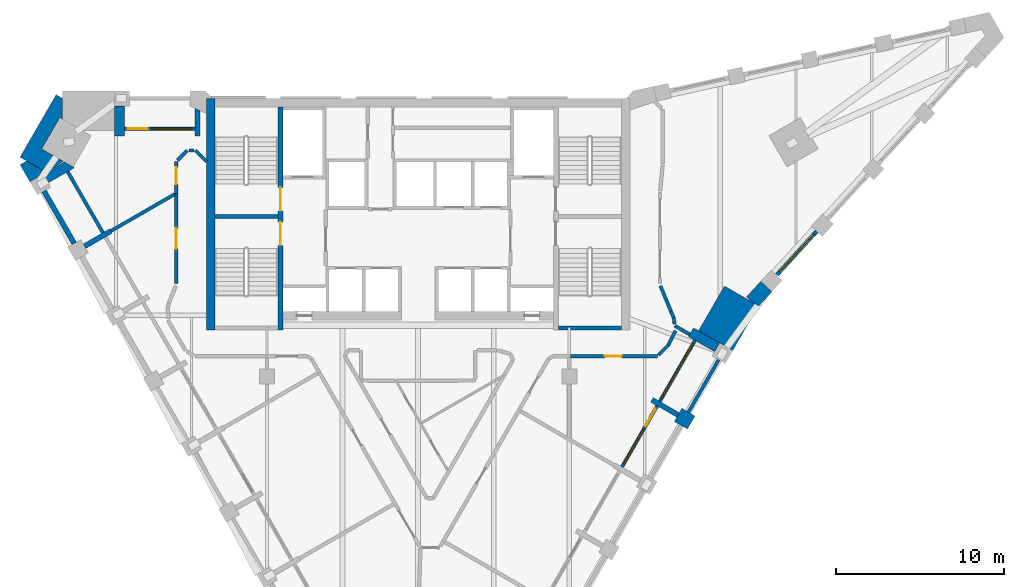
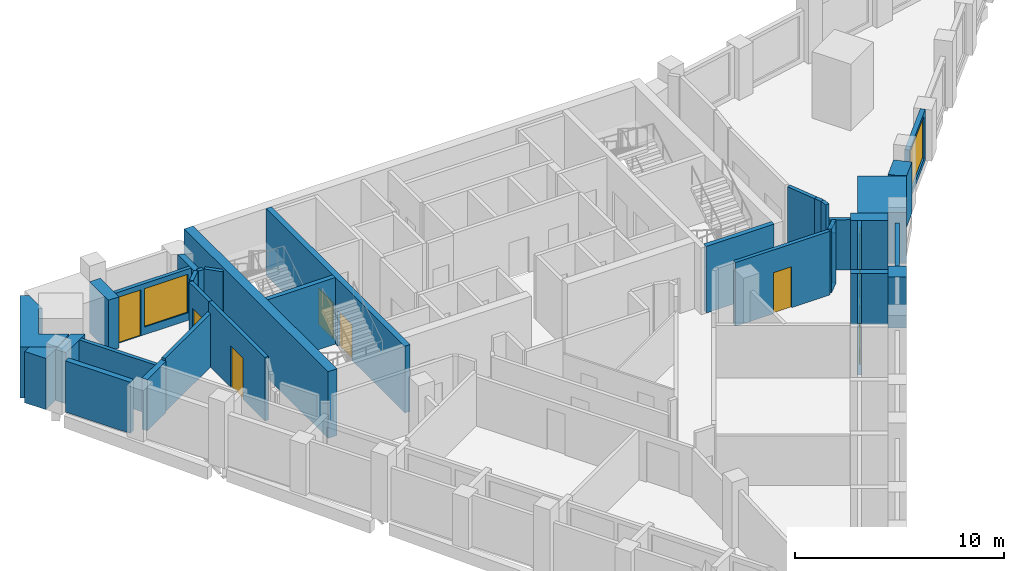
# One storey, part 5 of 9: 35 walls, 7 doors, 4 windows, 11 openings.
"""IFC4 building model written with IfcOpenShell, lengths in metres."""

from ifc_helpers import new_model, si_unit, direction, frame, frame_2d, origin, place, context, subcontext, project, spatial, polyline, rectangle, outline, extrude, material, layer, layer_set, type_object, element, fill, save


model = new_model("IFC4")

# Units and contexts
model_context = context("Model", 3, precision=1e-05, world=origin(), true_north=direction((0.0, 1.0)))
body_context = subcontext(model_context, "Body", "Model", "MODEL_VIEW")
ifc_project = project(units=[si_unit("LENGTHUNIT", "METRE"), si_unit("AREAUNIT", "SQUARE_METRE"), si_unit("VOLUMEUNIT", "CUBIC_METRE"), si_unit("PLANEANGLEUNIT", "RADIAN"), si_unit("MASSUNIT", "GRAM", prefix="KILO")], contexts=[model_context])

# Site, building, storey
site_placement = place(None, origin())
site = spatial("IfcSite", under=ifc_project, at=site_placement, CompositionType="ELEMENT")
building_placement = place(site_placement, origin())
building = spatial("IfcBuilding", under=site, at=building_placement, Name="Calabash Gate Tower", CompositionType="ELEMENT")
storey_placement = place(building_placement, frame((0.0, 0.0, 283.300048828125)))
storey = spatial("IfcBuildingStorey", under=building, at=storey_placement, Name="L68", CompositionType="ELEMENT", Elevation=283.300048828125)

# Walls
ifc_material_1 = material(Name="Terracotta brick masonry, exposed face", Category="masonry")
ifc_layer_1 = layer(ifc_material_1, 2.35009765625)
ifc_layer_set_1 = layer_set([ifc_layer_1], Name="Brick corner mass wall 2350")
wall_type_1 = type_object("IfcWallType", Name="Brick corner mass wall 2350", PredefinedType="SOLIDWALL", material=ifc_layer_set_1)
wall_1_placement = place(storey_placement, origin())
element("IfcWall", 1, at=wall_1_placement, inside=storey, type_object=wall_type_1, Name="Brick corner pier S20 2", PredefinedType="SOLIDWALL", context=body_context, shape_type="SweptSolid", body=[
    extrude(outline(polyline([(18.733642578125, 4.041748046875), (18.73291015625, 4.04052734375), (18.733642578125, 4.0400390625), (20.271240234375, 6.703125), (18.236083984375, 7.878173828125), (16.698486328125, 5.215087890625), (17.95361328125, 4.490478515625), (17.954345703125, 4.49169921875), (18.733642578125, 4.041748046875)])), origin(), (0.0, 0.0, 1.0), 2.973388671875),
])
wall_2_placement = place(storey_placement, origin())
element("IfcWall", 2, at=wall_2_placement, inside=storey, type_object=wall_type_1, Name="Brick corner pier S20 3b", PredefinedType="SOLIDWALL", context=body_context, shape_type="SweptSolid", body=[
    extrude(outline(polyline([(-21.33349609375, 17.908447265625), (-21.168701171875, 17.813232421875), (-21.168701171875, 19.052490234375), (-21.558349609375, 19.277587890625), (-23.70703125, 15.55615234375), (-22.140869140625, 14.65185546875), (-21.134765625, 15.311279296875), (-22.408447265625, 16.046630859375), (-21.33349609375, 17.908447265625)])), origin(), (0.0, 0.0, 1.0), 3.0),
])
wall_3_placement = place(storey_placement, origin())
element("IfcWall", 3, at=wall_3_placement, inside=storey, type_object=wall_type_1, Name="Brick corner pier S20 3c", PredefinedType="SOLIDWALL", context=body_context, shape_type="SweptSolid", body=[
    extrude(outline(polyline([(-23.118408203125, 14.08740234375), (-21.08349609375, 15.26220703125), (-21.100341796875, 15.291259765625), (-21.134765625, 15.311279296875), (-22.140869140625, 14.65185546875), (-23.3173828125, 15.3310546875), (-23.70703125, 15.106201171875), (-23.118408203125, 14.08740234375)])), origin(), (0.0, 0.0, 1.0), 3.0),
])
ifc_material_2 = material(Name="Terracotta brick masonry, exposed face", Category="masonry")
ifc_layer_2 = layer(ifc_material_2, 0.89990234375)
ifc_layer_set_2 = layer_set([ifc_layer_2], Name="Brick end wall 900")
wall_type_2 = type_object("IfcWallType", Name="Brick end wall 900", PredefinedType="SOLIDWALL", material=ifc_layer_set_2)
wall_4_placement = place(storey_placement, frame((15.479248046875, 0.203369140625, 0.0), z_axis=(0.0, 0.0, 1.0), x_axis=(0.865896406789, -0.500223362819, 0.0)))
element("IfcWall", 4, at=wall_4_placement, inside=storey, type_object=wall_type_2, Name="Brick pier S20 SE2.5", PredefinedType="SOLIDWALL", context=body_context, shape_type="SweptSolid", body=[
    extrude(rectangle(XDim=0.89990234375, YDim=0.89990234375, at=frame_2d((0.449951171875, 0.0))), origin(), (0.0, 0.0, 1.0), 3.0),
])
wall_5_placement = place(storey_placement, origin())
element("IfcWall", 5, at=wall_5_placement, inside=storey, type_object=wall_type_2, Name="Brick end wall S20 1", PredefinedType="SOLIDWALL", context=body_context, shape_type="SweptSolid", body=[
    extrude(outline(polyline([(20.394775390625, 8.15625), (19.54931640625, 7.23193359375), (19.88134765625, 6.92822265625), (20.271240234375, 6.703125), (20.24658203125, 6.66064453125), (21.058837890625, 7.548828125), (20.394775390625, 8.15625)])), origin(), (0.0, 0.0, 1.0), 3.0),
])
ifc_material_3 = material(Name="Terracotta brick masonry, exposed face", Category="masonry")
ifc_layer_3 = layer(ifc_material_3, 0.300048828125)
ifc_layer_set_3 = layer_set([ifc_layer_3], Name="Brick infill panel wall 300")
wall_type_3 = type_object("IfcWallType", Name="Brick infill panel wall 300", PredefinedType="SOLIDWALL", material=ifc_layer_set_3)
wall_6_placement = place(storey_placement, frame((-22.279052734375, 13.53271484375, 0.0), z_axis=(0.0, 0.0, 1.0), x_axis=(0.500012057535, -0.866018442252, 0.0)))
element("IfcWall", 6, at=wall_6_placement, inside=storey, type_object=wall_type_3, Name="Brick panel S20 SW0.1", PredefinedType="SOLIDWALL", context=body_context, shape_type="SweptSolid", body=[
    extrude(rectangle(XDim=3.60009765625, YDim=0.300048828125, at=frame_2d((1.800048828125, 0.0))), origin(), (0.0, 0.0, 1.0), 3.0),
])
ifc_material_4 = material(Name="Terracotta brick masonry, exposed face", Category="masonry")
ifc_layer_4 = layer(ifc_material_4, 0.300048828125)
ifc_layer_set_4 = layer_set([ifc_layer_4], Name="Brick loggia cheek wall 300")
wall_type_4 = type_object("IfcWallType", Name="Brick loggia cheek wall 300", PredefinedType="SOLIDWALL", material=ifc_layer_set_4)
wall_7_placement = place(storey_placement, origin())
element("IfcWall", 7, at=wall_7_placement, inside=storey, type_object=wall_type_4, Name="Loggia cheek S20 SW0.0", PredefinedType="SOLIDWALL", context=body_context, shape_type="SweptSolid", body=[
    extrude(outline(polyline([(-21.06689453125, 15.27197265625), (-22.339111328125, 14.537353515625), (-22.0390625, 14.017822265625), (-20.48046875, 14.91748046875), (-20.529052734375, 15.001708984375), (-20.546630859375, 14.971435546875), (-21.06689453125, 15.27197265625)])), origin(), (0.0, 0.0, 1.0), 3.0),
])
for number, where, z_axis, x_axis, name in (
    (8, (-19.8642578125, 10.25048828125, 0.0), (0.0, 0.0, 1.0), (0.866047807691, 0.499961193289, 0.0), "Loggia cheek S20 SW0.1"),
    (9, (15.479248046875, 0.203369140625, 0.0), (0.0, 0.0, 1.0), (-0.866047807691, 0.499961193289, 0.0), "Loggia cheek S20 SE2.5"),
):
    element("IfcWall", number, at=place(storey_placement, frame(where, z_axis=z_axis, x_axis=x_axis)), inside=storey, type_object=wall_type_4, Name=name, PredefinedType="SOLIDWALL", context=body_context, shape_type="SweptSolid", body=[
        extrude(rectangle(XDim=1.800048828125, YDim=0.300048828125, at=frame_2d((0.89990234375, 0.0))), origin(), (0.0, 0.0, 1.0), 3.0),
    ])
wall_8_placement = place(storey_placement, frame((17.803466796875, 4.230712890625, 0.0), z_axis=(0.0, 0.0, 1.0), x_axis=(-0.866004803686, 0.500035678719, 0.0)))
element("IfcWall", 10, at=wall_8_placement, inside=storey, type_object=wall_type_4, Name="Loggia cheek S20 SE2.6", PredefinedType="SOLIDWALL", context=body_context, shape_type="SweptSolid", body=[
    extrude(rectangle(XDim=1.799072265625, YDim=0.60009765625, at=frame_2d((0.8994140625, 0.0))), origin(), (0.0, 0.0, 1.0), 2.949951171875),
])
wall_9_placement = place(storey_placement, origin())
element("IfcWall", 11, at=wall_9_placement, inside=storey, type_object=wall_type_4, Name="Loggia cheek S20 N6.5", PredefinedType="SOLIDWALL", context=body_context, shape_type="SweptSolid", body=[
    extrude(outline(polyline([(-13.293701171875, 16.802490234375), (-12.99365234375, 16.802490234375), (-12.99365234375, 18.330810546875), (-13.293701171875, 18.466552734375), (-13.293701171875, 17.152587890625), (-13.293701171875, 16.802490234375)])), origin(), (0.0, 0.0, 1.0), 3.0),
])
wall_10_placement = place(storey_placement, origin())
element("IfcWall", 12, at=wall_10_placement, inside=storey, type_object=wall_type_4, Name="Loggia cheek S20 N6.6", PredefinedType="SOLIDWALL", context=body_context, shape_type="SweptSolid", body=[
    extrude(outline(polyline([(-18.093505859375, 18.6025390625), (-18.093505859375, 16.802490234375), (-17.49365234375, 16.802490234375), (-17.49365234375, 18.6025390625), (-18.093505859375, 18.6025390625)])), origin(), (0.0, 0.0, 1.0), 3.0),
])
ifc_material_5 = material(Name="Concrete C60/75", Category="concrete")
ifc_layer_5 = layer(ifc_material_5, 0.25)
ifc_layer_set_5 = layer_set([ifc_layer_5], Name="Core wall 250 Concrete C60/75")
wall_type_5 = type_object("IfcWallType", Name="Core wall 250 Concrete C60/75", PredefinedType="SHEAR", material=ifc_layer_set_5)
for number, where, z_axis, x_axis, name in (
    (13, (-12.10009765625, 12.027587890625, 0.0), (0.0, 0.0, 1.0), (1.0, 0.0, 0.0), "Core wall Z5-MIDW L68"),
    (14, (8.35009765625, 5.377685546875, 0.0), (0.0, 0.0, 1.0), (1.0, 0.0, 0.0), "Core wall Z5-SSE L68"),
):
    element("IfcWall", number, at=place(storey_placement, frame(where, z_axis=z_axis, x_axis=x_axis)), inside=storey, type_object=wall_type_5, Name=name, PredefinedType="SHEAR", context=body_context, shape_type="SweptSolid", body=[
        extrude(rectangle(XDim=3.75, YDim=0.25, at=frame_2d((1.875, 0.0))), origin(), (0.0, 0.0, 1.0), 3.89990234375),
    ])

# Wall, openings, doors
ifc_material_6 = material(Name="Concrete C60/75", Category="concrete")
ifc_layer_6 = layer(ifc_material_6, 0.300048828125)
ifc_layer_set_6 = layer_set([ifc_layer_6], Name="Core wall 300 Concrete C60/75")
wall_type_6 = type_object("IfcWallType", Name="Core wall 300 Concrete C60/75", PredefinedType="SHEAR", material=ifc_layer_set_6)
wall_11_placement = place(storey_placement, frame((-8.199951171875, 5.252685546875, 0.0), z_axis=(0.0, 0.0, 1.0), x_axis=(0.0, 1.0, 0.0)))
wall_11 = element("IfcWall", 15, at=wall_11_placement, inside=storey, type_object=wall_type_6, Name="Core wall Z5-PARTW L68", PredefinedType="SHEAR", context=body_context, shape_type="SweptSolid", body=[
    extrude(rectangle(XDim=13.2998046875, YDim=0.300048828125, at=frame_2d((6.64990234375, 0.0))), origin(), (0.0, 0.0, 1.0), 3.89990234375),
])
opening_1_placement = place(wall_11_placement, frame((7.10009765625, 0.0, 0.0)))
opening_1 = element("IfcOpeningElement", 16, at=opening_1_placement, cuts=wall_11, Name="Opening O12-009", PredefinedType="OPENING", context=body_context, shape_type="SweptSolid", body=[
    extrude(rectangle(XDim=1.39990234375, YDim=2.10009765625, at=frame_2d((0.699951171875, 1.050048828125))), frame((0.0, 0.159912109375, 0.0), z_axis=(0.0, -1.0, 0.0), x_axis=(1.0, 0.0, 0.0)), (0.0, 0.0, 1.0), 0.320068359375),
])
opening_2_placement = place(wall_11_placement, frame((5.050048828125, 0.0, 0.0)))
opening_2 = element("IfcOpeningElement", 17, at=opening_2_placement, cuts=wall_11, Name="Opening O12-010", PredefinedType="OPENING", context=body_context, shape_type="SweptSolid", body=[
    extrude(rectangle(XDim=1.39990234375, YDim=2.10009765625, at=frame_2d((0.699951171875, 1.050048828125))), frame((0.0, 0.159912109375, 0.0), z_axis=(0.0, -1.0, 0.0), x_axis=(1.0, 0.0, 0.0)), (0.0, 0.0, 1.0), 0.320068359375),
])
ifc_material_7 = material(Name="Steel fire door set with fire-resisting glazing", Category="steel")
door_type_1 = type_object("IfcDoorType", Name="Fire door D05 1400x2100 FD90", OperationType="NOTDEFINED", PredefinedType="DOOR", material=ifc_material_7)
door_1_placement = place(opening_1_placement, origin())
door_1 = element("IfcDoor", 18, at=door_1_placement, inside=storey, type_object=door_type_1, Name="Exit stair door ST1", OperationType="SINGLE_SWING_LEFT", OverallHeight=2.10009765625, OverallWidth=1.39990234375, PredefinedType="DOOR", context=body_context, shape_type="SweptSolid", body=[
    extrude(rectangle(XDim=1.39990234375, YDim=2.10009765625, at=frame_2d((0.699951171875, 1.050048828125))), frame((0.0, 0.02490234375, 0.0), z_axis=(0.0, -1.0, 0.0), x_axis=(1.0, 0.0, 0.0)), (0.0, 0.0, 1.0), 0.050048828125),
])
fill(opening_1, door_1)
door_2_placement = place(opening_2_placement, origin())
door_2 = element("IfcDoor", 19, at=door_2_placement, inside=storey, type_object=door_type_1, Name="Exit stair door ST2", OperationType="SINGLE_SWING_LEFT", OverallHeight=2.10009765625, OverallWidth=1.39990234375, PredefinedType="DOOR", context=body_context, shape_type="SweptSolid", body=[
    extrude(rectangle(XDim=1.39990234375, YDim=2.10009765625, at=frame_2d((0.699951171875, 1.050048828125))), frame((0.0, 0.02490234375, 0.0), z_axis=(0.0, -1.0, 0.0), x_axis=(1.0, 0.0, 0.0)), (0.0, 0.0, 1.0), 0.050048828125),
])
fill(opening_2, door_2)

# Wall
ifc_material_8 = material(Name="Concrete C60/75", Category="concrete")
ifc_layer_7 = layer(ifc_material_8, 0.5)
ifc_layer_set_7 = layer_set([ifc_layer_7], Name="Core wall 500 Concrete C60/75")
wall_type_7 = type_object("IfcWallType", Name="Core wall 500 Concrete C60/75", PredefinedType="SHEAR", material=ifc_layer_set_7)
wall_12_placement = place(storey_placement, frame((-12.35009765625, 5.252685546875, 0.0), z_axis=(0.0, 0.0, 1.0), x_axis=(0.0, 1.0, 0.0)))
element("IfcWall", 20, at=wall_12_placement, inside=storey, type_object=wall_type_7, Name="Core wall Z5-COLW L68", PredefinedType="SHEAR", context=body_context, shape_type="SweptSolid", body=[
    extrude(rectangle(XDim=13.7998046875, YDim=0.5, at=frame_2d((6.89990234375, 0.0))), origin(), (0.0, 0.0, 1.0), 3.89990234375),
])

# Wall, opening, door
ifc_material_9 = material(Name="Gypsum board on steel studs, mineral wool", Category="steel")
ifc_layer_8 = layer(ifc_material_9, 0.199951171875)
ifc_layer_set_8 = layer_set([ifc_layer_8], Name="Partition 200 gypsum board EI 60")
wall_type_8 = type_object("IfcWallType", Name="Partition 200 gypsum board EI 60", PredefinedType="PARTITIONING", material=ifc_layer_set_8)
wall_13_placement = place(storey_placement, frame((9.000244140625, 3.697998046875, 0.0), z_axis=(0.0, 0.0, 1.0), x_axis=(0.999999960922, 0.000279563869, 0.0)))
wall_13 = element("IfcWall", 21, at=wall_13_placement, inside=storey, type_object=wall_type_8, Name="Partition", PredefinedType="PARTITIONING", context=body_context, shape_type="SweptSolid", body=[
    extrude(rectangle(XDim=5.23974609375, YDim=0.199951171875, at=frame_2d((2.619873046875, 0.0))), origin(), (0.0, 0.0, 1.0), 3.72998046875),
])
opening_3_placement = place(wall_13_placement, frame((2.119873046875, 0.0, 0.0)))
opening_3 = element("IfcOpeningElement", 22, at=opening_3_placement, cuts=wall_13, Name="Opening 67-68-009", PredefinedType="OPENING", context=body_context, shape_type="SweptSolid", body=[
    extrude(rectangle(XDim=1.0, YDim=2.39990234375, at=frame_2d((0.5, 1.199951171875))), frame((0.0, 0.10986328125, 0.0), z_axis=(0.0, -1.0, 0.0), x_axis=(1.0, 0.0, 0.0)), (0.0, 0.0, 1.0), 0.219970703125),
])
ifc_material_10 = material(Name="Painted timber door", Category="wood")
door_type_2 = type_object("IfcDoorType", Name="OD2 Glazed office door 1000x2400", OperationType="NOTDEFINED", PredefinedType="DOOR", material=ifc_material_10)
door_3_placement = place(opening_3_placement, origin())
door_3 = element("IfcDoor", 23, at=door_3_placement, inside=storey, type_object=door_type_2, Name="Glazed office door", OperationType="SINGLE_SWING_RIGHT", OverallHeight=2.39990234375, OverallWidth=1.0, PredefinedType="DOOR", context=body_context, shape_type="SweptSolid", body=[
    extrude(rectangle(XDim=1.0, YDim=2.39990234375, at=frame_2d((0.5, 1.199951171875))), frame((0.0, 0.02490234375, 0.0), z_axis=(0.0, -1.0, 0.0), x_axis=(1.0, 0.0, 0.0)), (0.0, 0.0, 1.0), 0.050048828125),
])
fill(opening_3, door_3)

# Walls
wall_14_placement = place(storey_placement, frame((14.310791015625, 3.770263671875, 0.0), z_axis=(0.0, 0.0, 1.0), x_axis=(0.707106781187, 0.707106781187, 0.0)))
element("IfcWall", 24, at=wall_14_placement, inside=storey, type_object=wall_type_8, Name="Partition", PredefinedType="PARTITIONING", context=body_context, shape_type="SweptSolid", body=[
    extrude(rectangle(XDim=0.833740234375, YDim=0.199951171875, at=frame_2d((0.4169921875, 0.0))), origin(), (0.0, 0.0, 1.0), 3.72998046875),
])
wall_15_placement = place(storey_placement, frame((15.27685546875, 5.513916015625, 0.0), z_axis=(0.0, 0.0, 1.0), x_axis=(0.866957478323, -0.498382113222, 0.0)))
element("IfcWall", 25, at=wall_15_placement, inside=storey, type_object=wall_type_8, Name="Partition", PredefinedType="PARTITIONING", context=body_context, shape_type="SweptSolid", body=[
    extrude(rectangle(XDim=1.03076171875, YDim=0.199951171875, at=frame_2d((0.515380859375, 0.0))), origin(), (0.0, 0.0, 1.0), 2.949951171875),
])
wall_16_placement = place(storey_placement, frame((14.900390625, 4.35986328125, 0.0), z_axis=(0.0, 0.0, 1.0), x_axis=(0.435199770088, 0.900333915897, 0.0)))
element("IfcWall", 26, at=wall_16_placement, inside=storey, type_object=wall_type_8, Name="Partition", PredefinedType="PARTITIONING", context=body_context, shape_type="SweptSolid", body=[
    extrude(rectangle(XDim=0.954345703125, YDim=0.199951171875, at=frame_2d((0.47705078125, 0.0))), origin(), (0.0, 0.0, 1.0), 2.949951171875),
])
wall_17_placement = place(storey_placement, frame((15.210693359375, 6.015869140625, 0.0), z_axis=(0.0, 0.0, 1.0), x_axis=(0.133309467874, -0.991074460258, 0.0)))
element("IfcWall", 27, at=wall_17_placement, inside=storey, type_object=wall_type_8, Name="Partition", PredefinedType="PARTITIONING", context=body_context, shape_type="SweptSolid", body=[
    extrude(rectangle(XDim=0.40478515625, YDim=0.199951171875, at=frame_2d((0.202392578125, 0.0))), origin(), (0.0, 0.0, 1.0), 3.72998046875),
])
wall_18_placement = place(storey_placement, frame((15.05078125, 6.37353515625, 0.0), z_axis=(0.0, 0.0, 1.0), x_axis=(0.408161090952, -0.912909920985, 0.0)))
element("IfcWall", 28, at=wall_18_placement, inside=storey, type_object=wall_type_8, Name="Partition", PredefinedType="PARTITIONING", context=body_context, shape_type="SweptSolid", body=[
    extrude(rectangle(XDim=0.391845703125, YDim=0.199951171875, at=frame_2d((0.19580078125, 0.0))), origin(), (0.0, 0.0, 1.0), 3.72998046875),
])
wall_19_placement = place(storey_placement, frame((14.425048828125, 7.892822265625, 0.0), z_axis=(0.0, 0.0, 1.0), x_axis=(0.380824536343, -0.924647323318, 0.0)))
element("IfcWall", 29, at=wall_19_placement, inside=storey, type_object=wall_type_8, Name="Partition", PredefinedType="PARTITIONING", context=body_context, shape_type="SweptSolid", body=[
    extrude(rectangle(XDim=1.64306640625, YDim=0.199951171875, at=frame_2d((0.821533203125, 0.0))), origin(), (0.0, 0.0, 1.0), 3.72998046875),
])

# Wall, opening, door
wall_20_placement = place(storey_placement, frame((-14.402099609375, 13.404052734375, 0.0), z_axis=(0.0, 0.0, 1.0), x_axis=(0.000317258867, -0.999999949673, 0.0)))
wall_20 = element("IfcWall", 30, at=wall_20_placement, inside=storey, type_object=wall_type_8, Name="Partition", PredefinedType="PARTITIONING", context=body_context, shape_type="SweptSolid", body=[
    extrude(rectangle(XDim=5.38671875, YDim=0.199951171875, at=frame_2d((2.693359375, 0.0))), origin(), (0.0, 0.0, 1.0), 3.72998046875),
])
opening_4_placement = place(wall_20_placement, frame((2.092041015625, 0.0, 0.0)))
opening_4 = element("IfcOpeningElement", 31, at=opening_4_placement, cuts=wall_20, Name="Opening 67-68-004", PredefinedType="OPENING", context=body_context, shape_type="SweptSolid", body=[
    extrude(rectangle(XDim=1.199951171875, YDim=2.39990234375, at=frame_2d((0.60009765625, 1.199951171875))), frame((0.0, 0.10986328125, 0.0), z_axis=(0.0, -1.0, 0.0), x_axis=(1.0, 0.0, 0.0)), (0.0, 0.0, 1.0), 0.219970703125),
])
ifc_material_11 = material(Name="Steel fire door set with fire-resisting glazing", Category="steel")
door_type_3 = type_object("IfcDoorType", Name="OD3 Boardroom door 1200x2400", OperationType="NOTDEFINED", PredefinedType="DOOR", material=ifc_material_11)
door_4_placement = place(opening_4_placement, origin())
door_4 = element("IfcDoor", 32, at=door_4_placement, inside=storey, type_object=door_type_3, Name="Boardroom door", OperationType="SINGLE_SWING_LEFT", OverallHeight=2.39990234375, OverallWidth=1.199951171875, PredefinedType="DOOR", context=body_context, shape_type="SweptSolid", body=[
    extrude(rectangle(XDim=1.199951171875, YDim=2.39990234375, at=frame_2d((0.60009765625, 1.199951171875))), frame((0.0, 0.02490234375, 0.0), z_axis=(0.0, -1.0, 0.0), x_axis=(1.0, 0.0, 0.0)), (0.0, 0.0, 1.0), 0.050048828125),
])
fill(opening_4, door_4)

# Wall
wall_21_placement = place(storey_placement, frame((-18.3056640625, 11.150634765625, 0.0), z_axis=(0.0, 0.0, 1.0), x_axis=(0.866033448958, 0.499986065091, 0.0)))
element("IfcWall", 33, at=wall_21_placement, inside=storey, type_object=wall_type_8, Name="Partition", PredefinedType="PARTITIONING", context=body_context, shape_type="SweptSolid", body=[
    extrude(rectangle(XDim=4.409423828125, YDim=0.199951171875, at=frame_2d((2.20458984375, 0.0))), origin(), (0.0, 0.0, 1.0), 3.1279296875),
])

# Wall, opening, door
wall_22_placement = place(storey_placement, frame((-14.400390625, 13.4052734375, 0.0), z_axis=(0.0, 0.0, 1.0), x_axis=(0.0, 1.0, 0.0)))
wall_22 = element("IfcWall", 34, at=wall_22_placement, inside=storey, type_object=wall_type_8, Name="Partition", PredefinedType="PARTITIONING", context=body_context, shape_type="SweptSolid", body=[
    extrude(rectangle(XDim=1.8876953125, YDim=0.199951171875, at=frame_2d((0.94384765625, 0.0))), origin(), (0.0, 0.0, 1.0), 3.72998046875),
])
opening_5_placement = place(wall_22_placement, frame((0.543701171875, 0.0, 0.0)))
opening_5 = element("IfcOpeningElement", 35, at=opening_5_placement, cuts=wall_22, Name="Opening 67-68-005", PredefinedType="OPENING", context=body_context, shape_type="SweptSolid", body=[
    extrude(rectangle(XDim=1.0, YDim=2.39990234375, at=frame_2d((0.5, 1.199951171875))), frame((0.0, 0.10986328125, 0.0), z_axis=(0.0, -1.0, 0.0), x_axis=(1.0, 0.0, 0.0)), (0.0, 0.0, 1.0), 0.219970703125),
])
door_5_placement = place(opening_5_placement, origin())
door_5 = element("IfcDoor", 36, at=door_5_placement, inside=storey, type_object=door_type_2, Name="Glazed office door", OperationType="SINGLE_SWING_RIGHT", OverallHeight=2.39990234375, OverallWidth=1.0, PredefinedType="DOOR", context=body_context, shape_type="SweptSolid", body=[
    extrude(rectangle(XDim=1.0, YDim=2.39990234375, at=frame_2d((0.5, 1.199951171875))), frame((0.0, 0.02490234375, 0.0), z_axis=(0.0, -1.0, 0.0), x_axis=(1.0, 0.0, 0.0)), (0.0, 0.0, 1.0), 0.050048828125),
])
fill(opening_5, door_5)

# Walls
wall_23_placement = place(storey_placement, frame((-14.32958984375, 15.363525390625, 0.0), z_axis=(0.0, 0.0, 1.0), x_axis=(0.707106781187, 0.707106781187, 0.0)))
element("IfcWall", 37, at=wall_23_placement, inside=storey, type_object=wall_type_8, Name="Partition", PredefinedType="PARTITIONING", context=body_context, shape_type="SweptSolid", body=[
    extrude(rectangle(XDim=0.833740234375, YDim=0.199951171875, at=frame_2d((0.4169921875, 0.0))), origin(), (0.0, 0.0, 1.0), 3.72998046875),
])
wall_24_placement = place(storey_placement, frame((-13.639892578125, 15.952880859375, 0.0), z_axis=(0.0, 0.0, 1.0), x_axis=(1.0, 0.0, 0.0)))
element("IfcWall", 38, at=wall_24_placement, inside=storey, type_object=wall_type_8, Name="Partition", PredefinedType="PARTITIONING", context=body_context, shape_type="SweptSolid", body=[
    extrude(rectangle(XDim=0.280029296875, YDim=0.199951171875, at=frame_2d((0.14013671875, 0.0))), origin(), (0.0, 0.0, 1.0), 3.72998046875),
])
wall_25_placement = place(storey_placement, frame((-13.259765625, 15.952880859375, 0.0), z_axis=(0.0, 0.0, 1.0), x_axis=(0.708285399161, -0.705926195389, 0.0)))
element("IfcWall", 39, at=wall_25_placement, inside=storey, type_object=wall_type_8, Name="Partition", PredefinedType="PARTITIONING", context=body_context, shape_type="SweptSolid", body=[
    extrude(rectangle(XDim=0.931396484375, YDim=0.199951171875, at=frame_2d((0.4658203125, 0.0))), origin(), (0.0, 0.0, 1.0), 3.72998046875),
])

# Wall, opening, window
ifc_material_12 = material(Name="Aluminium framed window wall with insulated spandrel", Category="aluminium")
ifc_layer_9 = layer(ifc_material_12, 0.25)
ifc_layer_set_9 = layer_set([ifc_layer_9], Name="Prow window wall 250")
wall_type_9 = type_object("IfcWallType", Name="Prow window wall 250", PredefinedType="ELEMENTEDWALL", material=ifc_layer_set_9)
wall_26_placement = place(storey_placement, frame((21.367919921875, 8.5537109375, 0.0), z_axis=(0.0, 0.0, 1.0), x_axis=(0.67487449122, 0.737932531537, 0.0)))
wall_26 = element("IfcWall", 40, at=wall_26_placement, inside=storey, type_object=wall_type_9, Name="Prow window wall S20 wedge3.1", PredefinedType="ELEMENTEDWALL", context=body_context, shape_type="SweptSolid", body=[
    extrude(rectangle(XDim=3.5, YDim=0.25, at=frame_2d((1.75, 0.0))), origin(), (0.0, 0.0, 1.0), 3.0),
])
opening_6_placement = place(wall_26_placement, frame((0.25, 0.0, 0.300048828125)))
opening_6 = element("IfcOpeningElement", 41, at=opening_6_placement, cuts=wall_26, Name="Opening WP2", PredefinedType="OPENING", context=body_context, shape_type="SweptSolid", body=[
    extrude(rectangle(XDim=3.0, YDim=2.5, at=frame_2d((1.5, 1.25))), frame((0.0, 0.135009765625, 0.0), z_axis=(0.0, -1.0, 0.0), x_axis=(1.0, 0.0, 0.0)), (0.0, 0.0, 1.0), 0.27001953125),
])
ifc_material_13 = material(Name="Anodised aluminium frame, bronze finish, impact-rated laminated clear glazing", Category="aluminium")
window_type_1 = type_object("IfcWindowType", Name="Window WP2 3000x2500", PartitioningType="DOUBLE_PANEL_VERTICAL", PredefinedType="WINDOW", material=ifc_material_13)
window_1_placement = place(opening_6_placement, origin())
window_1 = element("IfcWindow", 42, at=window_1_placement, inside=storey, type_object=window_type_1, Name="Prow window WP2 S20 wedge3.1", OverallHeight=2.5, OverallWidth=3.0, PartitioningType="SINGLE_PANEL", PredefinedType="WINDOW", context=body_context, shape_type="SweptSolid", body=[
    extrude(rectangle(XDim=3.0, YDim=2.5, at=frame_2d((1.5, 1.25))), frame((0.0, 0.030029296875, 0.0), z_axis=(0.0, -1.0, 0.0), x_axis=(1.0, 0.0, 0.0)), (0.0, 0.0, 1.0), 0.06005859375),
])
fill(opening_6, window_1)

# Walls
ifc_material_14 = material(Name="Terracotta brick masonry, perforated", Category="masonry")
ifc_layer_10 = layer(ifc_material_14, 0.199951171875)
ifc_layer_set_10 = layer_set([ifc_layer_10], Name="Terracotta jaali screen B")
wall_type_10 = type_object("IfcWallType", Name="Terracotta jaali screen B", PredefinedType="SOLIDWALL", material=ifc_layer_set_10)
wall_27_placement = place(storey_placement, frame((16.093994140625, 0.367919921875, 0.0), z_axis=(0.0, 0.0, 1.0), x_axis=(0.500012057535, 0.866018442252, 0.0)))
element("IfcWall", 43, at=wall_27_placement, inside=storey, type_object=wall_type_10, Name="SCREEN B S20 SE2.6", PredefinedType="SOLIDWALL", context=body_context, shape_type="SweptSolid", body=[
    extrude(rectangle(XDim=3.60009765625, YDim=0.199951171875, at=frame_2d((1.800048828125, 0.0))), origin(), (0.0, 0.0, 1.0), 3.0),
])
ifc_material_15 = material(Name="Aluminium framed window wall with insulated spandrel", Category="aluminium")
ifc_layer_11 = layer(ifc_material_15, 0.199951171875)
ifc_layer_set_11 = layer_set([ifc_layer_11], Name="Window wall 200")
wall_type_11 = type_object("IfcWallType", Name="Window wall 200", PredefinedType="ELEMENTEDWALL", material=ifc_layer_set_11)
wall_28_placement = place(storey_placement, frame((-20.8701171875, 14.692626953125, 0.0), z_axis=(0.0, 0.0, 1.0), x_axis=(0.499958946799, -0.866049104564, 0.0)))
element("IfcWall", 44, at=wall_28_placement, inside=storey, type_object=wall_type_11, Name="Window wall S20 SW0.1", PredefinedType="ELEMENTEDWALL", context=body_context, shape_type="SweptSolid", body=[
    extrude(rectangle(XDim=4.199951171875, YDim=0.199951171875, at=frame_2d((2.10009765625, 0.0))), origin(), (0.0, 0.0, 1.0), 3.0),
])

# Wall, openings, door, window
wall_29_placement = place(storey_placement, frame((12.135009765625, -2.888916015625, 0.0), z_axis=(0.0, 0.0, 1.0), x_axis=(0.500027713859, 0.866009402589, 0.0)))
wall_29 = element("IfcWall", 45, at=wall_29_placement, inside=storey, type_object=wall_type_11, Name="Window wall S20 SE2.5", PredefinedType="ELEMENTEDWALL", context=body_context, shape_type="SweptSolid", body=[
    extrude(rectangle(XDim=4.199951171875, YDim=0.199951171875, at=frame_2d((2.10009765625, 0.0))), origin(), (0.0, 0.0, 1.0), 3.0),
])
opening_7_placement = place(wall_29_placement, frame((0.199951171875, 0.0, 0.449951171875)))
opening_7 = element("IfcOpeningElement", 46, at=opening_7_placement, cuts=wall_29, Name="Opening OW1", PredefinedType="OPENING", context=body_context, shape_type="SweptSolid", body=[
    extrude(rectangle(XDim=2.39990234375, YDim=2.25, at=frame_2d((1.199951171875, 1.125))), frame((0.0, 0.10986328125, 0.0), z_axis=(0.0, -1.0, 0.0), x_axis=(1.0, 0.0, 0.0)), (0.0, 0.0, 1.0), 0.219970703125),
])
opening_8_placement = place(wall_29_placement, frame((2.800048828125, 0.0, 0.0)))
opening_8 = element("IfcOpeningElement", 47, at=opening_8_placement, cuts=wall_29, Name="Opening O12-016", PredefinedType="OPENING", context=body_context, shape_type="SweptSolid", body=[
    extrude(rectangle(XDim=1.199951171875, YDim=2.699951171875, at=frame_2d((0.60009765625, 1.35009765625))), frame((0.0, 0.10986328125, 0.0), z_axis=(0.0, -1.0, 0.0), x_axis=(1.0, 0.0, 0.0)), (0.0, 0.0, 1.0), 0.219970703125),
])
ifc_material_16 = material(Name="Anodised aluminium frame, bronze finish, impact-rated laminated clear glazing", Category="aluminium")
door_type_4 = type_object("IfcDoorType", Name="Loggia door DO1 1200x2700", OperationType="SLIDING_TO_LEFT", PredefinedType="DOOR", material=ifc_material_16)
door_6_placement = place(opening_8_placement, origin())
door_6 = element("IfcDoor", 48, at=door_6_placement, inside=storey, type_object=door_type_4, Name="Loggia door S20 SE2.5", OperationType="SINGLE_SWING_LEFT", OverallHeight=2.699951171875, OverallWidth=1.199951171875, PredefinedType="DOOR", context=body_context, shape_type="SweptSolid", body=[
    extrude(rectangle(XDim=1.199951171875, YDim=2.699951171875, at=frame_2d((0.60009765625, 1.35009765625))), frame((0.0, 0.02490234375, 0.0), z_axis=(0.0, -1.0, 0.0), x_axis=(1.0, 0.0, 0.0)), (0.0, 0.0, 1.0), 0.050048828125),
])
fill(opening_8, door_6)
ifc_material_17 = material(Name="Anodised aluminium frame, bronze finish, impact-rated laminated clear glazing", Category="aluminium")
window_type_2 = type_object("IfcWindowType", Name="Window OW1 2400x2250", PartitioningType="DOUBLE_PANEL_VERTICAL", PredefinedType="WINDOW", material=ifc_material_17)
window_2_placement = place(opening_7_placement, origin())
window_2 = element("IfcWindow", 49, at=window_2_placement, inside=storey, type_object=window_type_2, Name="Window OW1 S20 SE2.5", OverallHeight=2.25, OverallWidth=2.39990234375, PartitioningType="SINGLE_PANEL", PredefinedType="WINDOW", context=body_context, shape_type="SweptSolid", body=[
    extrude(rectangle(XDim=2.39990234375, YDim=2.25, at=frame_2d((1.199951171875, 1.125))), frame((0.0, 0.030029296875, 0.0), z_axis=(0.0, -1.0, 0.0), x_axis=(1.0, 0.0, 0.0)), (0.0, 0.0, 1.0), 0.06005859375),
])
fill(opening_7, window_2)

# Wall, opening, window
wall_30_placement = place(storey_placement, frame((14.385009765625, 1.00830078125, 0.0), z_axis=(0.0, 0.0, 1.0), x_axis=(0.500027713859, 0.866009402589, 0.0)))
wall_30 = element("IfcWall", 50, at=wall_30_placement, inside=storey, type_object=wall_type_11, Name="Window wall S20 SE2.6", PredefinedType="ELEMENTEDWALL", context=body_context, shape_type="SweptSolid", body=[
    extrude(rectangle(XDim=4.199951171875, YDim=0.199951171875, at=frame_2d((2.10009765625, 0.0))), origin(), (0.0, 0.0, 1.0), 2.949951171875),
])
opening_9_placement = place(wall_30_placement, frame((0.199951171875, 0.0, 0.449951171875)))
opening_9 = element("IfcOpeningElement", 51, at=opening_9_placement, cuts=wall_30, Name="Opening OW2", PredefinedType="OPENING", context=body_context, shape_type="SweptSolid", body=[
    extrude(rectangle(XDim=3.800048828125, YDim=2.25, at=frame_2d((1.89990234375, 1.125))), frame((0.0, 0.10986328125, 0.0), z_axis=(0.0, -1.0, 0.0), x_axis=(1.0, 0.0, 0.0)), (0.0, 0.0, 1.0), 0.219970703125),
])
ifc_material_18 = material(Name="Anodised aluminium frame, bronze finish, impact-rated laminated clear glazing", Category="aluminium")
window_type_3 = type_object("IfcWindowType", Name="Window OW2 3800x2250", PartitioningType="TRIPLE_PANEL_VERTICAL", PredefinedType="WINDOW", material=ifc_material_18)
window_3_placement = place(opening_9_placement, origin())
window_3 = element("IfcWindow", 52, at=window_3_placement, inside=storey, type_object=window_type_3, Name="Window OW2 S20 SE2.6", OverallHeight=2.25, OverallWidth=3.800048828125, PartitioningType="SINGLE_PANEL", PredefinedType="WINDOW", context=body_context, shape_type="SweptSolid", body=[
    extrude(rectangle(XDim=3.800048828125, YDim=2.25, at=frame_2d((1.89990234375, 1.125))), frame((0.0, 0.030029296875, 0.0), z_axis=(0.0, -1.0, 0.0), x_axis=(1.0, 0.0, 0.0)), (0.0, 0.0, 1.0), 0.06005859375),
])
fill(opening_9, window_3)

# Wall, openings, door, window
wall_31_placement = place(storey_placement, frame((-13.293701171875, 17.25244140625, 0.0), z_axis=(0.0, 0.0, 1.0), x_axis=(-1.0, 0.0, 0.0)))
wall_31 = element("IfcWall", 53, at=wall_31_placement, inside=storey, type_object=wall_type_11, Name="Window wall S20 N6.6", PredefinedType="ELEMENTEDWALL", context=body_context, shape_type="SweptSolid", body=[
    extrude(rectangle(XDim=4.199951171875, YDim=0.199951171875, at=frame_2d((2.10009765625, 0.0))), origin(), (0.0, 0.0, 1.0), 3.0),
])
opening_10_placement = place(wall_31_placement, frame((0.199951171875, 0.0, 0.449951171875)))
opening_10 = element("IfcOpeningElement", 54, at=opening_10_placement, cuts=wall_31, Name="Opening OW1", PredefinedType="OPENING", context=body_context, shape_type="SweptSolid", body=[
    extrude(rectangle(XDim=2.39990234375, YDim=2.25, at=frame_2d((1.199951171875, 1.125))), frame((0.0, 0.10986328125, 0.0), z_axis=(0.0, -1.0, 0.0), x_axis=(1.0, 0.0, 0.0)), (0.0, 0.0, 1.0), 0.219970703125),
])
opening_11_placement = place(wall_31_placement, frame((2.800048828125, 0.0, 0.0)))
opening_11 = element("IfcOpeningElement", 55, at=opening_11_placement, cuts=wall_31, Name="Opening O12-013", PredefinedType="OPENING", context=body_context, shape_type="SweptSolid", body=[
    extrude(rectangle(XDim=1.199951171875, YDim=2.699951171875, at=frame_2d((0.60009765625, 1.35009765625))), frame((0.0, 0.10986328125, 0.0), z_axis=(0.0, -1.0, 0.0), x_axis=(1.0, 0.0, 0.0)), (0.0, 0.0, 1.0), 0.219970703125),
])
door_7_placement = place(opening_11_placement, origin())
door_7 = element("IfcDoor", 56, at=door_7_placement, inside=storey, type_object=door_type_4, Name="Loggia door S20 N6.6", OperationType="SINGLE_SWING_LEFT", OverallHeight=2.699951171875, OverallWidth=1.199951171875, PredefinedType="DOOR", context=body_context, shape_type="SweptSolid", body=[
    extrude(rectangle(XDim=1.199951171875, YDim=2.699951171875, at=frame_2d((0.60009765625, 1.35009765625))), frame((0.0, 0.02490234375, 0.0), z_axis=(0.0, -1.0, 0.0), x_axis=(1.0, 0.0, 0.0)), (0.0, 0.0, 1.0), 0.050048828125),
])
fill(opening_11, door_7)
window_4_placement = place(opening_10_placement, origin())
window_4 = element("IfcWindow", 57, at=window_4_placement, inside=storey, type_object=window_type_2, Name="Window OW1 S20 N6.6", OverallHeight=2.25, OverallWidth=2.39990234375, PartitioningType="SINGLE_PANEL", PredefinedType="WINDOW", context=body_context, shape_type="SweptSolid", body=[
    extrude(rectangle(XDim=2.39990234375, YDim=2.25, at=frame_2d((1.199951171875, 1.125))), frame((0.0, 0.030029296875, 0.0), z_axis=(0.0, -1.0, 0.0), x_axis=(1.0, 0.0, 0.0)), (0.0, 0.0, 1.0), 0.06005859375),
])
fill(opening_10, window_4)

save(model, "model.ifc")
